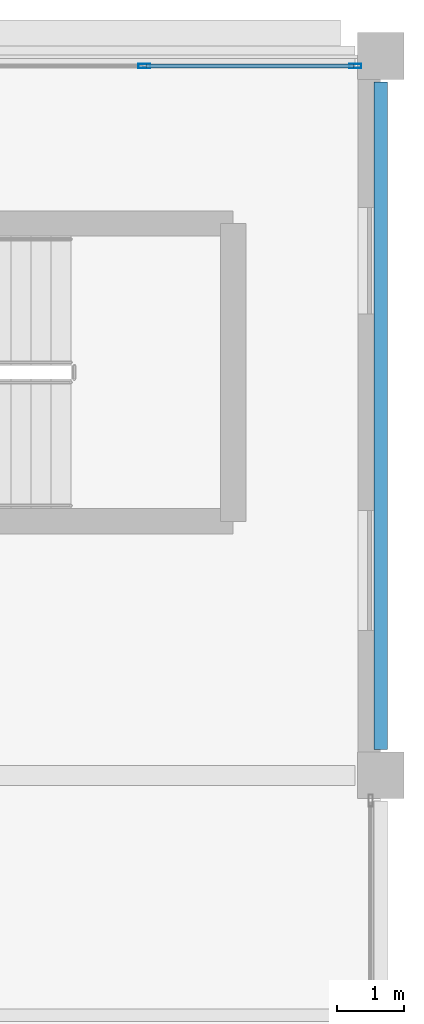
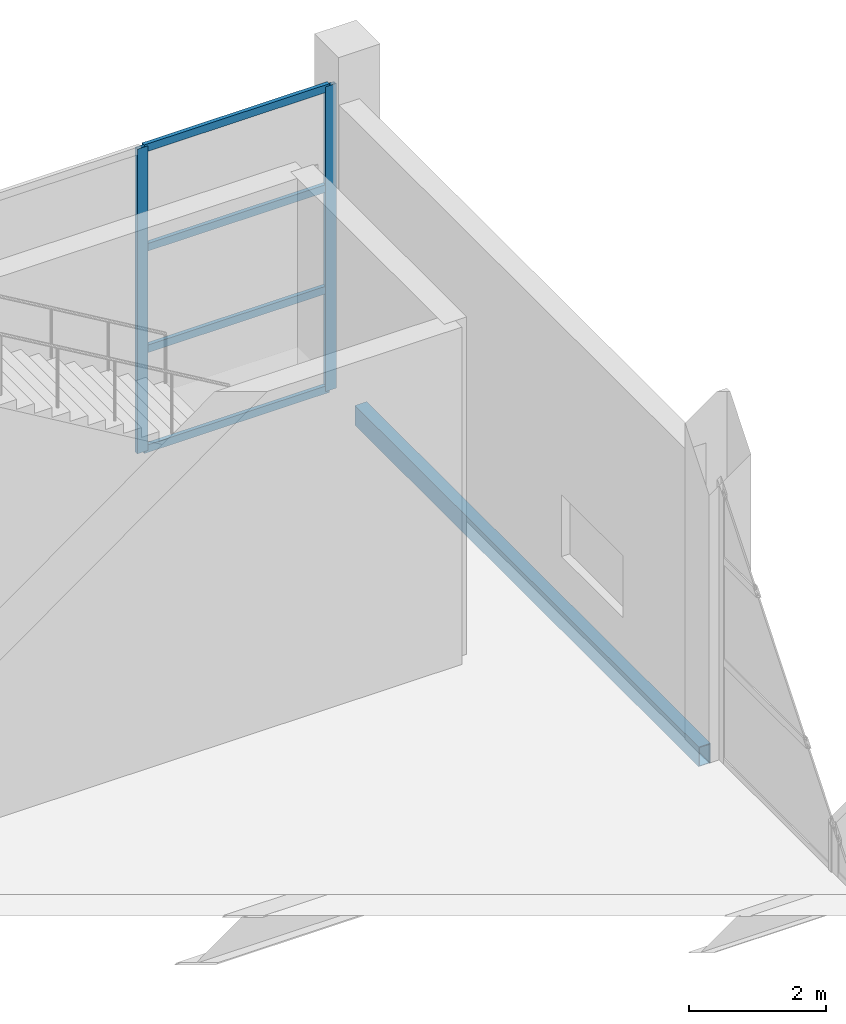
# One storey, part 147 of 191: 6 members, 1 beam, 1 element without a shape of its own.
"""IFC4 building model written with IfcOpenShell, lengths in metres."""

from ifc_helpers import new_model, si_unit, direction, frame, origin, origin_2d, place, context, subcontext, project, spatial, hollow_rectangle, extrude, material, layer, layer_set, material_profile, profile_set, type_object, element, aggregate, save


model = new_model("IFC4")

# Units and contexts
model_context = context("Model", 3, precision=1e-05, world=origin(), true_north=direction((0.0, 1.0)))
body_context = subcontext(model_context, "Body", "Model", "MODEL_VIEW")
ifc_project = project(units=[si_unit("LENGTHUNIT", "METRE"), si_unit("AREAUNIT", "SQUARE_METRE"), si_unit("VOLUMEUNIT", "CUBIC_METRE"), si_unit("PLANEANGLEUNIT", "RADIAN"), si_unit("MASSUNIT", "GRAM", prefix="KILO")], contexts=[model_context])

# Site, building, storey
site_placement = place(None, origin())
site = spatial("IfcSite", under=ifc_project, at=site_placement, CompositionType="ELEMENT")
building_placement = place(site_placement, origin())
building = spatial("IfcBuilding", under=site, at=building_placement, Name="Tamarisk Ironworks Central Station", CompositionType="ELEMENT")
storey_placement = place(building_placement, frame((0.0, 0.0, 6.60009765625)))
storey = spatial("IfcBuildingStorey", under=building, at=storey_placement, Name="L01", CompositionType="ELEMENT", Elevation=6.60009765625)

# Beam
ifc_material_1 = material(Name="Structural steel S355J2", Category="steel")
ifc_material_profile_1 = material_profile(ifc_material_1, hollow_rectangle(XDim=0.199951171875, YDim=0.35009765625, WallThickness=0.012451171875, at=origin_2d()), Name="RHS 350x200x12.5")
ifc_profile_set_1 = profile_set([ifc_material_profile_1], Name="Structural steel S355J2")
beam_type = type_object("IfcBeamType", Name="BM-SP01", PredefinedType="SPANDREL", material=ifc_profile_set_1)
beam_placement = place(storey_placement, frame((180.0, 111.988037109375, -0.425048828125), z_axis=(0.0, 1.0, 0.0), x_axis=(-1.0, 0.0, 0.0)))
element("IfcBeam", 1, at=beam_placement, inside=storey, type_object=beam_type, Name="L01 primary girder Y-0296", PredefinedType="SPANDREL", context=body_context, shape_type="SweptSolid", body=[
    extrude(hollow_rectangle(XDim=0.199951171875, YDim=0.35009765625, WallThickness=0.012451171875, at=origin_2d()), origin(), (0.0, 0.0, 1.0), 10.02392578125),
])

# Curtain wall, members
ifc_material_2 = material(Name="Anodized aluminium alloy 6063-T6", Category="aluminium")
ifc_layer = layer(ifc_material_2, 0.179931640625)
ifc_layer_set = layer_set([ifc_layer], Name="Anodized aluminium alloy 6063-T6")
curtain_wall_type = type_object("IfcCurtainWallType", Name="CW-16", PredefinedType="USERDEFINED", material=ifc_layer_set)
curtain_wall_placement = place(storey_placement, origin())
curtain_wall = element("IfcCurtainWall", 2, at=curtain_wall_placement, inside=storey, type_object=curtain_wall_type, Name="Operations L01 north facade curtain wall 166", ObjectType="GLAZED CURTAIN WALL", PredefinedType="USERDEFINED")
ifc_material_profile_2 = material_profile(ifc_material_2, hollow_rectangle(XDim=0.06494140625, YDim=0.179931640625, WallThickness=0.00390625, at=origin_2d()), Name="ALUM 180x65")
ifc_profile_set_2 = profile_set([ifc_material_profile_2], Name="Anodized aluminium alloy 6063-T6")
member_type_1 = type_object("IfcMemberType", Name="CWM-02", PredefinedType="MULLION", material=ifc_profile_set_2)
member_1_placement = place(storey_placement, frame((176.450927734375, 122.25, 0.0), z_axis=(0.0, 0.0, 1.0), x_axis=(0.0, 1.0, 0.0)))
member_1 = element("IfcMember", 3, at=member_1_placement, type_object=member_type_1, Name="CW16 mullion 4", PredefinedType="MULLION", context=body_context, shape_type="SweptSolid", body=[
    extrude(hollow_rectangle(XDim=0.06494140625, YDim=0.179931640625, WallThickness=0.00390625, at=origin_2d()), origin(), (0.0, 0.0, 1.0), 5.419921875),
])
member_2_placement = place(storey_placement, frame((179.619384765625, 122.25, 0.0), z_axis=(0.0, 0.0, 1.0), x_axis=(0.0, 1.0, 0.0)))
member_2 = element("IfcMember", 4, at=member_2_placement, type_object=member_type_1, Name="CW16 mullion 5", PredefinedType="MULLION", context=body_context, shape_type="SweptSolid", body=[
    extrude(hollow_rectangle(XDim=0.06494140625, YDim=0.179931640625, WallThickness=0.00390625, at=origin_2d()), origin(), (0.0, 0.0, 1.0), 5.419921875),
])
ifc_material_profile_3 = material_profile(ifc_material_2, hollow_rectangle(XDim=0.06494140625, YDim=0.135009765625, WallThickness=0.00341796875, at=origin_2d()), Name="ALUM 135x65")
ifc_profile_set_3 = profile_set([ifc_material_profile_3], Name="Anodized aluminium alloy 6063-T6")
member_type_2 = type_object("IfcMemberType", Name="CWT-02", PredefinedType="USERDEFINED", material=ifc_profile_set_3)
member_3_placement = place(storey_placement, frame((176.4794921875, 122.25, 0.032470703125), z_axis=(1.0, 0.0, 0.0), x_axis=(0.0, 1.0, 0.0)))
member_3 = element("IfcMember", 5, at=member_3_placement, type_object=member_type_2, Name="CW16 transom 4.1", ObjectType="TRANSOM", PredefinedType="USERDEFINED", context=body_context, shape_type="SweptSolid", body=[
    extrude(hollow_rectangle(XDim=0.06494140625, YDim=0.135009765625, WallThickness=0.00341796875, at=origin_2d()), origin(), (0.0, 0.0, 1.0), 3.111572265625),
])
member_4_placement = place(storey_placement, frame((176.4794921875, 122.25, 1.806640625), z_axis=(1.0, 0.0, 0.0), x_axis=(0.0, 1.0, 0.0)))
member_4 = element("IfcMember", 6, at=member_4_placement, type_object=member_type_2, Name="CW16 transom 4.2", ObjectType="TRANSOM", PredefinedType="USERDEFINED", context=body_context, shape_type="SweptSolid", body=[
    extrude(hollow_rectangle(XDim=0.06494140625, YDim=0.135009765625, WallThickness=0.00341796875, at=origin_2d()), origin(), (0.0, 0.0, 1.0), 3.111572265625),
])
member_5_placement = place(storey_placement, frame((176.4794921875, 122.25, 3.61328125), z_axis=(1.0, 0.0, 0.0), x_axis=(0.0, 1.0, 0.0)))
member_5 = element("IfcMember", 7, at=member_5_placement, type_object=member_type_2, Name="CW16 transom 4.3", ObjectType="TRANSOM", PredefinedType="USERDEFINED", context=body_context, shape_type="SweptSolid", body=[
    extrude(hollow_rectangle(XDim=0.06494140625, YDim=0.135009765625, WallThickness=0.00341796875, at=origin_2d()), origin(), (0.0, 0.0, 1.0), 3.111572265625),
])
member_6_placement = place(storey_placement, frame((176.4794921875, 122.25, 5.387451171875), z_axis=(1.0, 0.0, 0.0), x_axis=(0.0, 1.0, 0.0)))
member_6 = element("IfcMember", 8, at=member_6_placement, type_object=member_type_2, Name="CW16 transom 4.4", ObjectType="TRANSOM", PredefinedType="USERDEFINED", context=body_context, shape_type="SweptSolid", body=[
    extrude(hollow_rectangle(XDim=0.06494140625, YDim=0.135009765625, WallThickness=0.00341796875, at=origin_2d()), origin(), (0.0, 0.0, 1.0), 3.111572265625),
])
aggregate(curtain_wall, [member_1, member_2, member_3, member_4, member_5, member_6])

save(model, "model.ifc")
